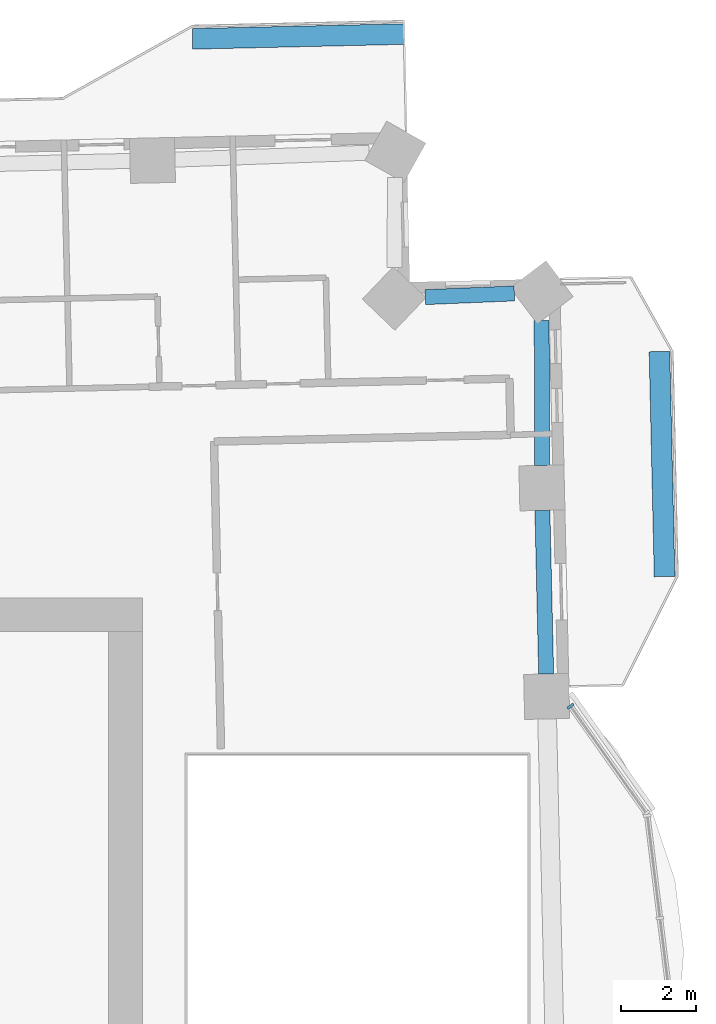
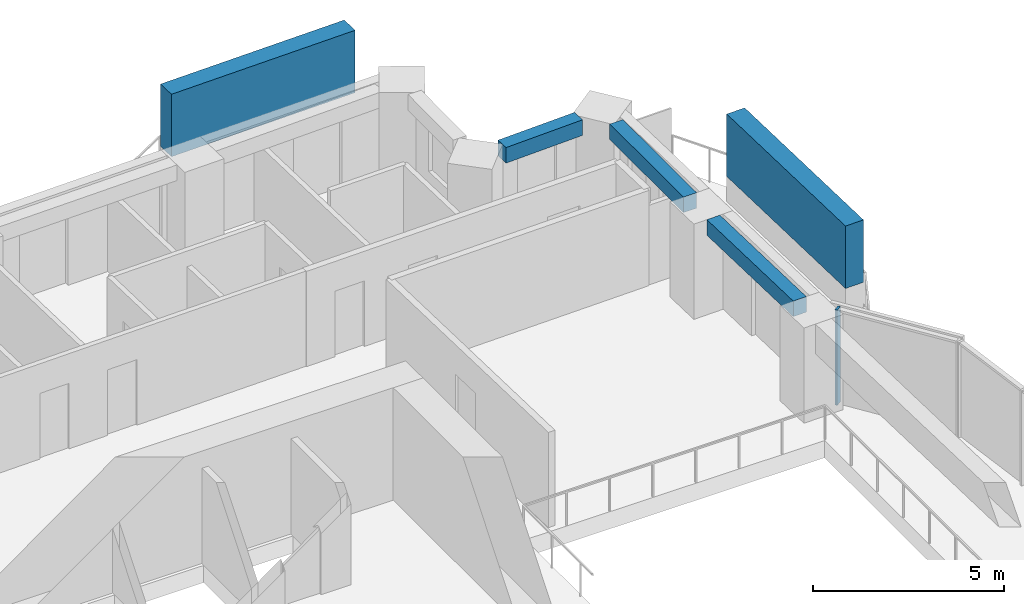
# One storey, part 4 of 16: 3 beams, 3 members, 1 element without a shape of its own.
"""IFC4 building model written with IfcOpenShell, lengths in metres."""

from ifc_helpers import new_model, si_unit, direction, frame, origin, origin_2d, place, context, subcontext, project, spatial, rectangle, extrude, material, material_profile, profile_set, type_object, element, aggregate, save


model = new_model("IFC4")

# Units and contexts
model_context = context("Model", 3, precision=1e-05, world=origin(), true_north=direction((0.0, 1.0)))
body_context = subcontext(model_context, "Body", "Model", "MODEL_VIEW")
ifc_project = project(units=[si_unit("LENGTHUNIT", "METRE"), si_unit("AREAUNIT", "SQUARE_METRE"), si_unit("VOLUMEUNIT", "CUBIC_METRE"), si_unit("PLANEANGLEUNIT", "RADIAN"), si_unit("MASSUNIT", "GRAM", prefix="KILO")], contexts=[model_context])

# Site, building, storey
site_placement = place(None, origin())
site = spatial("IfcSite", under=ifc_project, at=site_placement, CompositionType="ELEMENT")
building_placement = place(site_placement, origin())
building = spatial("IfcBuilding", under=site, at=building_placement, Name="Mangrove Gate Tower", CompositionType="ELEMENT")
storey_placement = place(building_placement, frame((0.0, 0.0, 178.89990234375)))
storey = spatial("IfcBuildingStorey", under=building, at=storey_placement, Name="L45", CompositionType="ELEMENT", Elevation=178.89990234375)

# Curtain wall, member
ifc_material_1 = material(Name="Aluminium and glass curtain wall", Category="aluminium")
curtain_wall_type = type_object("IfcCurtainWallType", Name="Atrium garden-court glazing wall", PredefinedType="NOTDEFINED", material=ifc_material_1)
curtain_wall_placement = place(storey_placement, origin())
curtain_wall = element("IfcCurtainWall", 1, at=curtain_wall_placement, inside=storey, type_object=curtain_wall_type, Name="Atrium garden-court glazing E1f3", PredefinedType="NOTDEFINED")
ifc_material_2 = material(Name="Aluminium alloy 6063-T6", Category="aluminium")
ifc_material_profile_1 = material_profile(ifc_material_2, rectangle(XDim=0.070068359375, YDim=0.199951171875, at=origin_2d()))
ifc_profile_set_1 = profile_set([ifc_material_profile_1], Name="Aluminium alloy 6063-T6")
member_type_1 = type_object("IfcMemberType", Name="Atrium garden-court glazing mullion 70x200", PredefinedType="MULLION", material=ifc_profile_set_1)
member_1_placement = place(storey_placement, frame((26.11376953125, 8.808837890625, 0.0), z_axis=(0.0, 0.0, 1.0), x_axis=(-0.578106334278, 0.815961436753, 0.0)))
member_1 = element("IfcMember", 2, at=member_1_placement, type_object=member_type_1, Name="CWA mullion 2", PredefinedType="MULLION", context=body_context, shape_type="SweptSolid", body=[
    extrude(rectangle(XDim=0.070068359375, YDim=0.199951171875, at=origin_2d()), origin(), (0.0, 0.0, 1.0), 3.050048828125),
])
aggregate(curtain_wall, [member_1])

# Members
ifc_material_3 = material(Name="Planting on aluminium trellis", Category="aluminium")
ifc_material_profile_2 = material_profile(ifc_material_3, rectangle(XDim=0.550048828125, YDim=2.0, at=origin_2d()))
ifc_profile_set_2 = profile_set([ifc_material_profile_2], Name="Planting on aluminium trellis")
member_type_2 = type_object("IfcMemberType", Name="Balcony greenery screen 550x2000", PredefinedType="USERDEFINED", material=ifc_profile_set_2)
member_2_placement = place(storey_placement, frame((28.62109375, 12.26611328125, 1.800048828125), z_axis=(-0.022666865795, 0.999743073592, 0.0), x_axis=(-0.999743073592, -0.022666865795, 0.0)))
element("IfcMember", 3, at=member_2_placement, inside=storey, type_object=member_type_2, Name="GREEN SCREEN L45 E1.1", ObjectType="PLANTING", PredefinedType="USERDEFINED", context=body_context, shape_type="SweptSolid", body=[
    extrude(rectangle(XDim=0.550048828125, YDim=2.0, at=origin_2d()), origin(), (0.0, 0.0, 1.0), 5.999267578125),
])
member_3_placement = place(storey_placement, frame((16.037109375, 26.59912109375, 1.800048828125), z_axis=(0.999742750925, 0.022681092847, 0.0), x_axis=(-0.022681092847, 0.999742750925, 0.0)))
element("IfcMember", 4, at=member_3_placement, inside=storey, type_object=member_type_2, Name="GREEN SCREEN L45 N0.1", ObjectType="PLANTING", PredefinedType="USERDEFINED", context=body_context, shape_type="SweptSolid", body=[
    extrude(rectangle(XDim=0.550048828125, YDim=2.0, at=origin_2d()), origin(), (0.0, 0.0, 1.0), 5.640380859375),
])

# Beams
ifc_material_4 = material(Name="Concrete C50/60", Category="concrete")
ifc_material_profile_3 = material_profile(ifc_material_4, rectangle(XDim=0.39990234375, YDim=0.5, at=origin_2d()))
ifc_profile_set_3 = profile_set([ifc_material_profile_3], Name="Concrete C50/60")
beam_type = type_object("IfcBeamType", Name="Edge beam RC 400x500 C50/60", PredefinedType="BEAM", material=ifc_profile_set_3)
beam_1_placement = place(storey_placement, frame((25.46435546875, 9.669189453125, 2.800048828125), z_axis=(-0.022838386415, 0.999739170037, 0.0), x_axis=(-0.999739170037, -0.022838386415, 0.0)))
element("IfcBeam", 5, at=beam_1_placement, inside=storey, type_object=beam_type, Name="Edge beam L45 15", PredefinedType="BEAM", context=body_context, shape_type="SweptSolid", body=[
    extrude(rectangle(XDim=0.39990234375, YDim=0.5, at=origin_2d()), origin(), (0.0, 0.0, 1.0), 4.361572265625),
])
beam_2_placement = place(storey_placement, frame((25.3505859375, 15.2294921875, 2.800048828125), z_axis=(-0.001011377485, 0.999999488558, 0.0), x_axis=(-0.999999488558, -0.001011377485, 0.0)))
element("IfcBeam", 6, at=beam_2_placement, inside=storey, type_object=beam_type, Name="Edge beam L45 16", PredefinedType="BEAM", context=body_context, shape_type="SweptSolid", body=[
    extrude(rectangle(XDim=0.39990234375, YDim=0.5, at=origin_2d()), origin(), (0.0, 0.0, 1.0), 3.8623046875),
])
beam_3_placement = place(storey_placement, frame((24.6171875, 19.812744140625, 2.800048828125), z_axis=(-0.999146203439, -0.041314212485, 0.0), x_axis=(0.041314212485, -0.999146203439, 0.0)))
element("IfcBeam", 7, at=beam_3_placement, inside=storey, type_object=beam_type, Name="Edge beam L45 17", PredefinedType="BEAM", context=body_context, shape_type="SweptSolid", body=[
    extrude(rectangle(XDim=0.39990234375, YDim=0.5, at=origin_2d()), origin(), (0.0, 0.0, 1.0), 2.37548828125),
])

save(model, "model.ifc")
